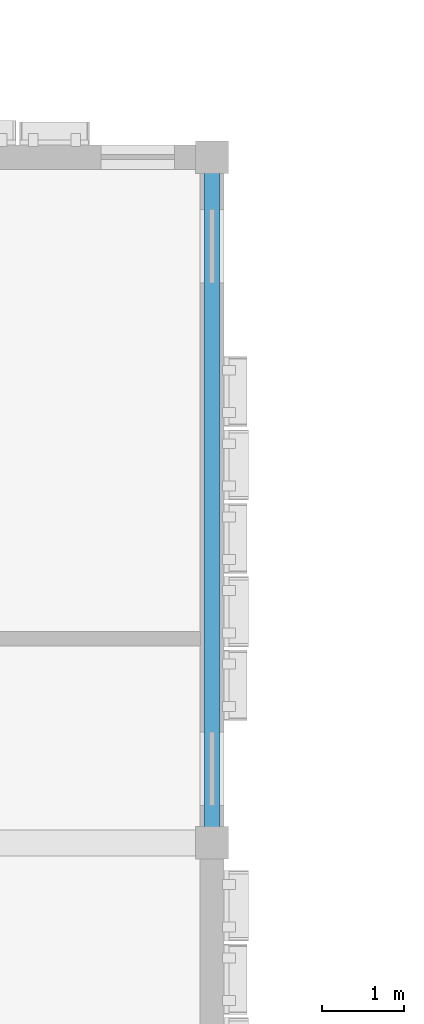
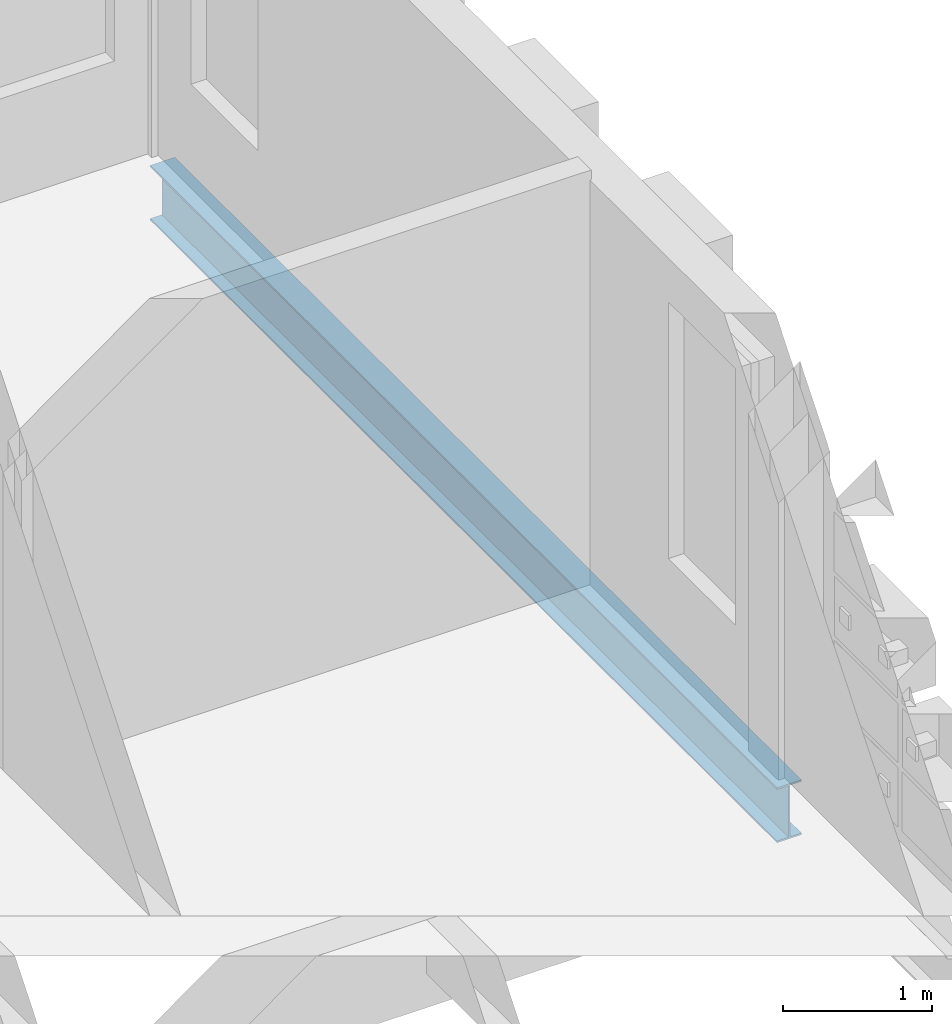
# One storey, part 13 of 81: 1 beam.
"""IFC4 building model written with IfcOpenShell, lengths in metres."""

import ifcopenshell
import ifcopenshell.guid

model = None  # the IFC model being written
_history = None  # IfcOwnerHistory: only IFC2X3 demands one
_inside = {}  # id of a spatial element -> (the spatial element, [elements in it])
_under = {}  # id of a project, library or spatial element -> (it, [spatial elements below it])
_declared = {}  # id of a project -> (the project, [libraries it declares])
_typed = {}  # id of a type object -> (the type object, [elements of that type])
_made_of = {}  # id of a material, layer set ... -> (it, [elements and type objects made of it])


def new_model(schema):
    """Start an empty IFC model of exactly this schema.

    Asked for "IFC4X3", IfcOpenShell would pick the latest addendum, in which some entities
    have other attributes; the version numbers below select the first issue.
    IFC2X3 requires an IfcOwnerHistory on every rooted entity: one is made here for all.
    """
    global model, _history
    if schema == "IFC4X3":
        model = ifcopenshell.file(schema_version=(4, 3, 0, 0))
    else:
        model = ifcopenshell.file(schema=schema)
    _inside.clear()
    _under.clear()
    _declared.clear()
    _typed.clear()
    _made_of.clear()
    _history = None
    if model.schema == "IFC2X3":
        org = make("IfcOrganization", Name="unknown")
        user = make(
            "IfcPersonAndOrganization",
            ThePerson=make("IfcPerson", FamilyName="unknown"),
            TheOrganization=org,
        )
        app = make(
            "IfcApplication",
            ApplicationDeveloper=org,
            Version="unknown",
            ApplicationFullName="unknown",
            ApplicationIdentifier="unknown",
        )
        _history = make(
            "IfcOwnerHistory",
            OwningUser=user,
            OwningApplication=app,
            ChangeAction="ADDED",
            CreationDate=0,
        )
    return model


def make(cls, **values):
    """One entity of the class cls with the attributes given. An attribute that is None is left unset."""
    return model.create_entity(
        cls, **{name: value for name, value in values.items() if value is not None}
    )


def rooted(cls, **values):
    """An entity with a GlobalId (a new one), such as an element, a storey or a relation."""
    return make(cls, GlobalId=ifcopenshell.guid.new(), OwnerHistory=_history, **values)


def si_unit(unit_type, name, prefix=None):
    """IfcSIUnit, for example si_unit("LENGTHUNIT", "METRE", prefix="MILLI")."""
    return make("IfcSIUnit", UnitType=unit_type, Prefix=prefix, Name=name)


def assignment(units):
    """IfcUnitAssignment: the units of a project."""
    return None if units is None else make("IfcUnitAssignment", Units=units)


def point(xyz):
    """IfcCartesianPoint."""
    return None if xyz is None else make("IfcCartesianPoint", Coordinates=xyz)


def direction(xyz):
    """IfcDirection."""
    return None if xyz is None else make("IfcDirection", DirectionRatios=xyz)


def frame(location, z_axis=None, x_axis=None):
    """IfcAxis2Placement3D, a coordinate frame: its origin and axes. An axis left out is left unset."""
    return make(
        "IfcAxis2Placement3D",
        Location=point(location),
        Axis=direction(z_axis),
        RefDirection=direction(x_axis),
    )


def frame_2d(location, x_axis=None):
    """IfcAxis2Placement2D, a coordinate frame in the plane: its origin and x axis."""
    return make(
        "IfcAxis2Placement2D", Location=point(location), RefDirection=direction(x_axis)
    )


def origin():
    """The frame at (0, 0, 0) with its axes left unset."""
    return frame((0.0, 0.0, 0.0))


def origin_2d():
    """The frame at (0, 0) in the plane with its x axis left unset."""
    return frame_2d((0.0, 0.0))


def place(relative_to, where):
    """IfcLocalPlacement: puts the frame where relative to a parent placement (None: the world)."""
    return make(
        "IfcLocalPlacement", PlacementRelTo=relative_to, RelativePlacement=where
    )


def context(
    kind, dimensions, precision=None, world=None, true_north=None, identifier=None
):
    """IfcGeometricRepresentationContext, for example the 3D "Model" context."""
    return make(
        "IfcGeometricRepresentationContext",
        ContextIdentifier=identifier,
        ContextType=kind,
        CoordinateSpaceDimension=dimensions,
        Precision=precision,
        WorldCoordinateSystem=world,
        TrueNorth=true_north,
    )


def subcontext(parent, identifier, kind, view, scale=None):
    """IfcGeometricRepresentationSubContext, for example "Body" below "Model"."""
    return make(
        "IfcGeometricRepresentationSubContext",
        ContextIdentifier=identifier,
        ContextType=kind,
        ParentContext=parent,
        TargetScale=scale,
        TargetView=view,
    )


def project(units=None, contexts=None):
    """IfcProject with its units and contexts."""
    return rooted(
        "IfcProject",
        Name="project",
        RepresentationContexts=contexts,
        UnitsInContext=assignment(units),
    )


def spatial(cls, under=None, at=None, **own):
    """A site, building, storey or space (cls), placed at a placement, below another one or the project."""
    s = rooted(cls, ObjectPlacement=at, **own)
    if under is not None:
        _under.setdefault(under.id(), (under, []))[1].append(s)
    return s


def profile(cls, at=None, kind="AREA", **sizes):
    """A parametric profile (cls). Its sizes go by their IFC names, for example OverallWidth=200.0."""
    return make(cls, ProfileType=kind, Position=at, **sizes)


def i_section(**sizes):
    """IfcIShapeProfileDef."""
    return profile("IfcIShapeProfileDef", **sizes)


def extrude(swept, where, along, depth):
    """IfcExtrudedAreaSolid: the profile swept, set in the frame where, extruded along a direction by depth."""
    return make(
        "IfcExtrudedAreaSolid",
        SweptArea=swept,
        Position=where,
        ExtrudedDirection=direction(along),
        Depth=depth,
    )


def shape(context_of_items, identifier, shape_type, items):
    """IfcShapeRepresentation: the items that make up one representation, for example the "Body"."""
    return make(
        "IfcShapeRepresentation",
        ContextOfItems=context_of_items,
        RepresentationIdentifier=identifier,
        RepresentationType=shape_type,
        Items=items,
    )


def material(Name=None, Category=None):
    """IfcMaterial."""
    return make("IfcMaterial", Name=Name, Category=Category)


def material_profile(
    of_material, cross_section, Name=None, Category=None, Priority=None
):
    """IfcMaterialProfile: a cross section and its material."""
    return make(
        "IfcMaterialProfile",
        Name=Name,
        Material=of_material,
        Profile=cross_section,
        Priority=Priority,
        Category=Category,
    )


def profile_set(profiles, Name=None, composite=None):
    """IfcMaterialProfileSet."""
    return make(
        "IfcMaterialProfileSet",
        Name=Name,
        MaterialProfiles=profiles,
        CompositeProfile=composite,
    )


def made_of(thing, what):
    """Note that an element or type object is made of a material, layer set ...; save() writes the relation."""
    if what is not None:
        _made_of.setdefault(what.id(), (what, []))[1].append(thing)
    return thing


def type_object(cls, material=None, **own):
    """A type object (cls), such as IfcWallType, which elements share."""
    return made_of(rooted(cls, **own), material)


def element(
    cls,
    number,
    at=None,
    inside=None,
    cuts=None,
    type_object=None,
    material=None,
    context=None,
    identifier="Body",
    shape_type=None,
    held_by="IfcProductDefinitionShape",
    body=None,
    shapes=None,
    **own,
):
    """One element of the class cls, such as IfcWall. Its Tag is "e" and its number.

    at: its placement. inside: the storey or other place that contains it. cuts: it is an
    opening in that element (IfcRelVoidsElement). A single representation is given by context,
    identifier, shape_type and body (its items); several are given by shapes. held_by: the class
    of the entity that holds the representations. save() writes the other relations.
    """
    e = rooted(cls, Tag="e%d" % number, ObjectPlacement=at, **own)
    if body is not None:
        shapes = [shape(context, identifier, shape_type, body)]
    if shapes is not None:
        e.Representation = make(held_by, Representations=shapes)
    if inside is not None:
        _inside.setdefault(inside.id(), (inside, []))[1].append(e)
    if cuts is not None:
        rooted(
            "IfcRelVoidsElement", RelatingBuildingElement=cuts, RelatedOpeningElement=e
        )
    if type_object is not None:
        _typed.setdefault(type_object.id(), (type_object, []))[1].append(e)
    return made_of(e, material)


def aggregate(whole, parts):
    """IfcRelAggregates: a whole, such as a stair, and the parts it consists of."""
    return rooted("IfcRelAggregates", RelatingObject=whole, RelatedObjects=parts)


def save(model, path):
    """Write the relations noted so far, then the file.

    IfcRelAggregates (storeys below a building ...), IfcRelContainedInSpatialStructure (elements
    in a storey), IfcRelDefinesByType, IfcRelAssociatesMaterial and IfcRelDeclares: one each for
    every whole, place, type object, material and project.
    """
    for whole, parts in _under.values():
        aggregate(whole, parts)
    for where, things in _inside.values():
        rooted(
            "IfcRelContainedInSpatialStructure",
            RelatedElements=things,
            RelatingStructure=where,
        )
    for kind, things in _typed.values():
        rooted("IfcRelDefinesByType", RelatedObjects=things, RelatingType=kind)
    for what, things in _made_of.values():
        rooted("IfcRelAssociatesMaterial", RelatedObjects=things, RelatingMaterial=what)
    for by, libraries in _declared.values():
        rooted("IfcRelDeclares", RelatingContext=by, RelatedDefinitions=libraries)
    model.write(path)


model = new_model("IFC4")

# Units and contexts
model_context = context("Model", 3, precision=1e-05, world=origin(), true_north=direction((0.0, 1.0)))
body_context = subcontext(model_context, "Body", "Model", "MODEL_VIEW")
ifc_project = project(units=[si_unit("LENGTHUNIT", "METRE"), si_unit("AREAUNIT", "SQUARE_METRE"), si_unit("VOLUMEUNIT", "CUBIC_METRE"), si_unit("PLANEANGLEUNIT", "RADIAN"), si_unit("MASSUNIT", "GRAM", prefix="KILO")], contexts=[model_context])

# Site, building, storey
site_placement = place(None, origin())
site = spatial("IfcSite", under=ifc_project, at=site_placement, CompositionType="ELEMENT")
building_placement = place(site_placement, origin())
building = spatial("IfcBuilding", under=site, at=building_placement, Name="Kahlenmark Community Centre", CompositionType="ELEMENT")
storey_placement = place(building_placement, frame((0.0, 0.0, 9.60009765625)))
storey = spatial("IfcBuildingStorey", under=building, at=storey_placement, Name="L02", CompositionType="ELEMENT", Elevation=9.60009765625)

# Beam
ifc_material = material(Name="Steel S355", Category="steel")
ifc_material_profile = material_profile(ifc_material, i_section(OverallWidth=0.18994140625, OverallDepth=0.449951171875, WebThickness=0.009521484375, FlangeThickness=0.0146484375, at=origin_2d()), Name="IPE 450")
ifc_profile_set = profile_set([ifc_material_profile], Name="Steel S355")
beam_type = type_object("IfcBeamType", Name="BT-SPANDREL-IPE450", PredefinedType="SPANDREL", material=ifc_profile_set)
beam_placement = place(storey_placement, frame((37.60009765625, 67.60009765625, -0.445068359375), z_axis=(0.0, 1.0, 0.0), x_axis=(-1.0, 0.0, 0.0)))
element("IfcBeam", 1, at=beam_placement, inside=storey, type_object=beam_type, Name="L02 spandrel SP-IPE450", PredefinedType="SPANDREL", context=body_context, shape_type="SweptSolid", body=[
    extrude(i_section(OverallWidth=0.18994140625, OverallDepth=0.449951171875, WebThickness=0.009521484375, FlangeThickness=0.0146484375, at=origin_2d()), origin(), (0.0, 0.0, 1.0), 8.39990234375),
])

save(model, "model.ifc")
